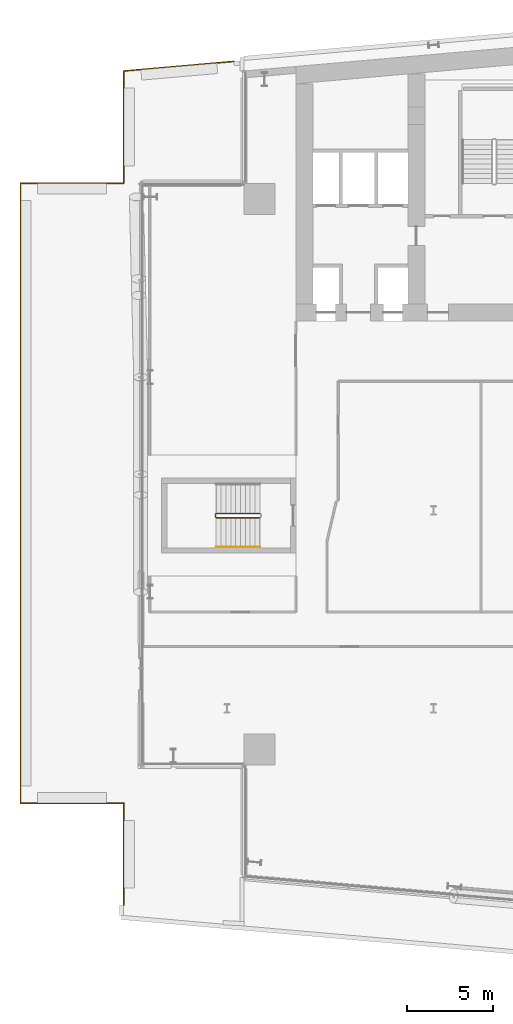
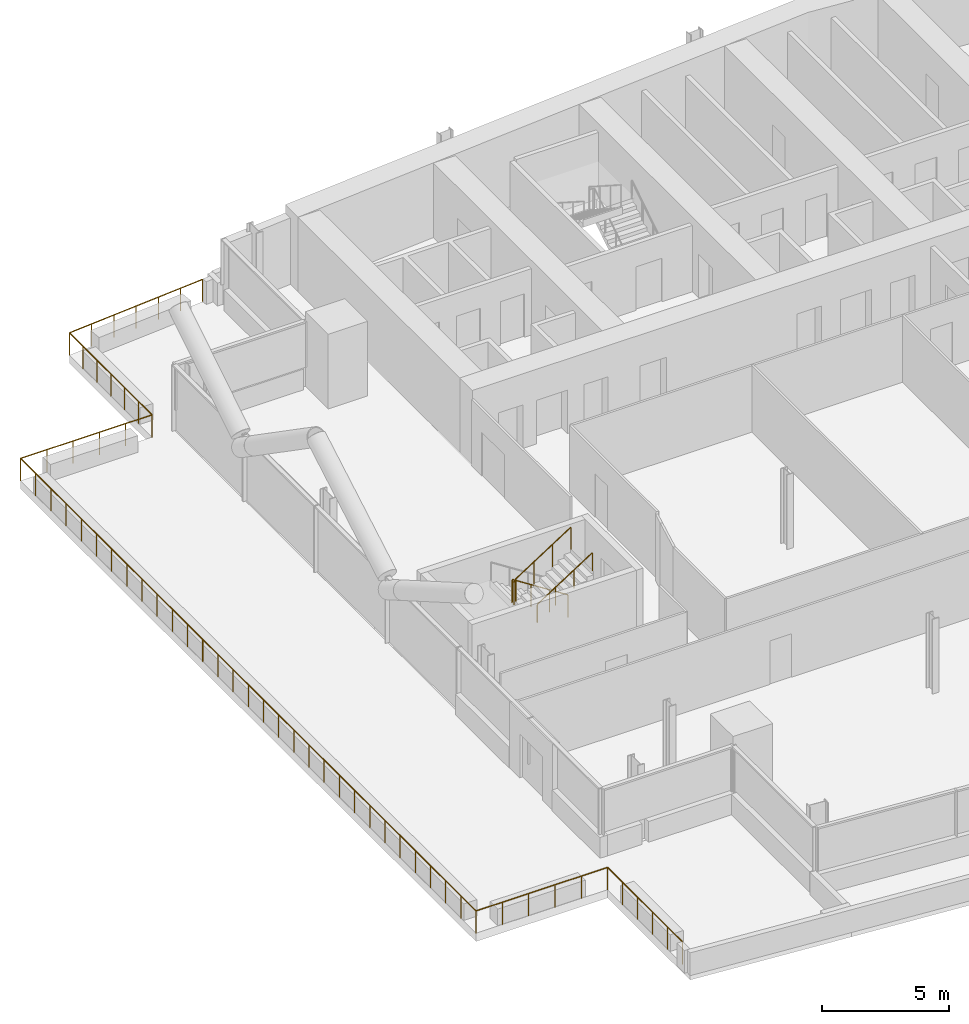
# One storey, part 22 of 26: 3 railings.
"""IFC4 building model written with IfcOpenShell, lengths in metres."""

from ifc_helpers import new_model, si_unit, direction, frame, origin, origin_2d, place, context, subcontext, project, spatial, circle, extrude, material, type_object, element, save


model = new_model("IFC4")

# Units and contexts
model_context = context("Model", 3, precision=1e-05, world=origin(), true_north=direction((0.0, 1.0)))
body_context = subcontext(model_context, "Body", "Model", "MODEL_VIEW")
ifc_project = project(units=[si_unit("LENGTHUNIT", "METRE"), si_unit("AREAUNIT", "SQUARE_METRE"), si_unit("VOLUMEUNIT", "CUBIC_METRE"), si_unit("PLANEANGLEUNIT", "RADIAN"), si_unit("MASSUNIT", "GRAM", prefix="KILO")], contexts=[model_context])

# Site, building, storey
site_placement = place(None, origin())
site = spatial("IfcSite", under=ifc_project, at=site_placement, CompositionType="ELEMENT")
building_placement = place(site_placement, origin())
building = spatial("IfcBuilding", under=site, at=building_placement, Name="Wharfspan Tower", CompositionType="ELEMENT")
storey_placement = place(building_placement, frame((0.0, 0.0, 96.699951)))
storey = spatial("IfcBuildingStorey", under=building, at=storey_placement, Name="L21", CompositionType="ELEMENT", Elevation=96.699951)

# Railings
ifc_material = material(Name="Steel S355J2", Category="steel")
railing_type_1 = type_object("IfcRailingType", Name="GUARD 1100 STEEL AND GLASS", PredefinedType="GUARDRAIL", material=ifc_material)
railing_1_placement = place(storey_placement, frame((6.0, 0.074951, 0.0)))
element("IfcRailing", 1, at=railing_1_placement, inside=storey, type_object=railing_type_1, Name="Terrace guard T1W", PredefinedType="GUARDRAIL", context=body_context, shape_type="SweptSolid", body=[
    extrude(circle(Radius=0.024902, at=origin_2d()), frame((0.0, 0.0, 1.075195), z_axis=(0.0, 1.0, 0.0), x_axis=(-1.0, 0.0, 0.0)), (0.0, 0.0, 1.0), 5.925049),
    extrude(circle(Radius=0.024902, at=origin_2d()), frame((0.0, 5.925049, 1.075195), z_axis=(-1.0, 0.0, 0.0), x_axis=(0.0, -1.0, 0.0)), (0.0, 0.0, 1.0), 6.0),
    extrude(circle(Radius=0.024902, at=origin_2d()), frame((-6.0, 5.925049, 1.075195), z_axis=(0.0, 1.0, 0.0), x_axis=(-1.0, 0.0, 0.0)), (0.0, 0.0, 1.0), 36.0),
    extrude(circle(Radius=0.024902, at=origin_2d()), frame((-6.0, 41.925049, 1.075195), z_axis=(1.0, 0.0, 0.0), x_axis=(0.0, 1.0, 0.0)), (0.0, 0.0, 1.0), 6.0),
    extrude(circle(Radius=0.024902, at=origin_2d()), frame((0.0, 41.925049, 1.075195), z_axis=(0.0, 1.0, 0.0), x_axis=(-1.0, 0.0, 0.0)), (0.0, 0.0, 1.0), 6.524902),
    extrude(circle(Radius=0.024902, at=origin_2d()), frame((0.0, 48.449951, 1.075195), z_axis=(0.996196, 0.087144, 0.0), x_axis=(-0.087144, 0.996196, 0.0)), (0.0, 0.0, 1.0), 6.426758),
    extrude(circle(Radius=0.02002, at=origin_2d()), origin(), (0.0, 0.0, 1.0), 1.050049),
    extrude(circle(Radius=0.02002, at=origin_2d()), frame((0.0, 1.185059, 0.0)), (0.0, 0.0, 1.0), 1.050049),
    extrude(circle(Radius=0.02002, at=origin_2d()), frame((0.0, 2.370117, 0.0)), (0.0, 0.0, 1.0), 1.050049),
    extrude(circle(Radius=0.02002, at=origin_2d()), frame((0.0, 3.554932, 0.0)), (0.0, 0.0, 1.0), 1.050049),
    extrude(circle(Radius=0.02002, at=origin_2d()), frame((0.0, 4.73999, 0.0)), (0.0, 0.0, 1.0), 1.050049),
    extrude(circle(Radius=0.02002, at=origin_2d()), frame((0.0, 5.925049, 0.0)), (0.0, 0.0, 1.0), 1.050049),
    extrude(circle(Radius=0.02002, at=origin_2d()), frame((-1.199951, 5.925049, 0.0)), (0.0, 0.0, 1.0), 1.050049),
    extrude(circle(Radius=0.02002, at=origin_2d()), frame((-2.399902, 5.925049, 0.0)), (0.0, 0.0, 1.0), 1.050049),
    extrude(circle(Radius=0.02002, at=origin_2d()), frame((-3.600098, 5.925049, 0.0)), (0.0, 0.0, 1.0), 1.050049),
    extrude(circle(Radius=0.02002, at=origin_2d()), frame((-4.800049, 5.925049, 0.0)), (0.0, 0.0, 1.0), 1.050049),
    extrude(circle(Radius=0.02002, at=origin_2d()), frame((-6.0, 5.925049, 0.0)), (0.0, 0.0, 1.0), 1.050049),
    extrude(circle(Radius=0.02002, at=origin_2d()), frame((-6.0, 7.125, 0.0)), (0.0, 0.0, 1.0), 1.050049),
    extrude(circle(Radius=0.02002, at=origin_2d()), frame((-6.0, 8.324951, 0.0)), (0.0, 0.0, 1.0), 1.050049),
    extrude(circle(Radius=0.02002, at=origin_2d()), frame((-6.0, 9.525146, 0.0)), (0.0, 0.0, 1.0), 1.050049),
    extrude(circle(Radius=0.02002, at=origin_2d()), frame((-6.0, 10.725098, 0.0)), (0.0, 0.0, 1.0), 1.050049),
    extrude(circle(Radius=0.02002, at=origin_2d()), frame((-6.0, 11.925049, 0.0)), (0.0, 0.0, 1.0), 1.050049),
    extrude(circle(Radius=0.02002, at=origin_2d()), frame((-6.0, 13.125, 0.0)), (0.0, 0.0, 1.0), 1.050049),
    extrude(circle(Radius=0.02002, at=origin_2d()), frame((-6.0, 14.324951, 0.0)), (0.0, 0.0, 1.0), 1.050049),
    extrude(circle(Radius=0.02002, at=origin_2d()), frame((-6.0, 15.525146, 0.0)), (0.0, 0.0, 1.0), 1.050049),
    extrude(circle(Radius=0.02002, at=origin_2d()), frame((-6.0, 16.725098, 0.0)), (0.0, 0.0, 1.0), 1.050049),
    extrude(circle(Radius=0.02002, at=origin_2d()), frame((-6.0, 17.925049, 0.0)), (0.0, 0.0, 1.0), 1.050049),
    extrude(circle(Radius=0.02002, at=origin_2d()), frame((-6.0, 19.125, 0.0)), (0.0, 0.0, 1.0), 1.050049),
    extrude(circle(Radius=0.02002, at=origin_2d()), frame((-6.0, 20.324951, 0.0)), (0.0, 0.0, 1.0), 1.050049),
    extrude(circle(Radius=0.02002, at=origin_2d()), frame((-6.0, 21.525146, 0.0)), (0.0, 0.0, 1.0), 1.050049),
    extrude(circle(Radius=0.02002, at=origin_2d()), frame((-6.0, 22.725098, 0.0)), (0.0, 0.0, 1.0), 1.050049),
    extrude(circle(Radius=0.02002, at=origin_2d()), frame((-6.0, 23.925049, 0.0)), (0.0, 0.0, 1.0), 1.050049),
    extrude(circle(Radius=0.02002, at=origin_2d()), frame((-6.0, 25.125, 0.0)), (0.0, 0.0, 1.0), 1.050049),
    extrude(circle(Radius=0.02002, at=origin_2d()), frame((-6.0, 26.324951, 0.0)), (0.0, 0.0, 1.0), 1.050049),
    extrude(circle(Radius=0.02002, at=origin_2d()), frame((-6.0, 27.525146, 0.0)), (0.0, 0.0, 1.0), 1.050049),
    extrude(circle(Radius=0.02002, at=origin_2d()), frame((-6.0, 28.725098, 0.0)), (0.0, 0.0, 1.0), 1.050049),
    extrude(circle(Radius=0.02002, at=origin_2d()), frame((-6.0, 29.925049, 0.0)), (0.0, 0.0, 1.0), 1.050049),
    extrude(circle(Radius=0.02002, at=origin_2d()), frame((-6.0, 31.125, 0.0)), (0.0, 0.0, 1.0), 1.050049),
    extrude(circle(Radius=0.02002, at=origin_2d()), frame((-6.0, 32.324951, 0.0)), (0.0, 0.0, 1.0), 1.050049),
    extrude(circle(Radius=0.02002, at=origin_2d()), frame((-6.0, 33.525146, 0.0)), (0.0, 0.0, 1.0), 1.050049),
    extrude(circle(Radius=0.02002, at=origin_2d()), frame((-6.0, 34.725098, 0.0)), (0.0, 0.0, 1.0), 1.050049),
    extrude(circle(Radius=0.02002, at=origin_2d()), frame((-6.0, 35.925049, 0.0)), (0.0, 0.0, 1.0), 1.050049),
    extrude(circle(Radius=0.02002, at=origin_2d()), frame((-6.0, 37.125, 0.0)), (0.0, 0.0, 1.0), 1.050049),
    extrude(circle(Radius=0.02002, at=origin_2d()), frame((-6.0, 38.324951, 0.0)), (0.0, 0.0, 1.0), 1.050049),
    extrude(circle(Radius=0.02002, at=origin_2d()), frame((-6.0, 39.525146, 0.0)), (0.0, 0.0, 1.0), 1.050049),
    extrude(circle(Radius=0.02002, at=origin_2d()), frame((-6.0, 40.725098, 0.0)), (0.0, 0.0, 1.0), 1.050049),
    extrude(circle(Radius=0.02002, at=origin_2d()), frame((-6.0, 41.925049, 0.0)), (0.0, 0.0, 1.0), 1.050049),
    extrude(circle(Radius=0.02002, at=origin_2d()), frame((-4.800049, 41.925049, 0.0)), (0.0, 0.0, 1.0), 1.050049),
    extrude(circle(Radius=0.02002, at=origin_2d()), frame((-3.600098, 41.925049, 0.0)), (0.0, 0.0, 1.0), 1.050049),
    extrude(circle(Radius=0.02002, at=origin_2d()), frame((-2.399902, 41.925049, 0.0)), (0.0, 0.0, 1.0), 1.050049),
    extrude(circle(Radius=0.02002, at=origin_2d()), frame((-1.199951, 41.925049, 0.0)), (0.0, 0.0, 1.0), 1.050049),
    extrude(circle(Radius=0.02002, at=origin_2d()), frame((0.0, 41.925049, 0.0)), (0.0, 0.0, 1.0), 1.050049),
    extrude(circle(Radius=0.02002, at=origin_2d()), frame((0.0, 43.012451, 0.0)), (0.0, 0.0, 1.0), 1.050049),
    extrude(circle(Radius=0.02002, at=origin_2d()), frame((0.0, 44.100098, 0.0)), (0.0, 0.0, 1.0), 1.050049),
    extrude(circle(Radius=0.02002, at=origin_2d()), frame((0.0, 45.1875, 0.0)), (0.0, 0.0, 1.0), 1.050049),
    extrude(circle(Radius=0.02002, at=origin_2d()), frame((0.0, 46.274902, 0.0)), (0.0, 0.0, 1.0), 1.050049),
    extrude(circle(Radius=0.02002, at=origin_2d()), frame((0.0, 47.362549, 0.0)), (0.0, 0.0, 1.0), 1.050049),
    extrude(circle(Radius=0.02002, at=origin_2d()), frame((0.0, 48.449951, 0.0)), (0.0, 0.0, 1.0), 1.050049),
    extrude(circle(Radius=0.02002, at=origin_2d()), frame((1.067139, 48.543213, 0.0)), (0.0, 0.0, 1.0), 1.050049),
    extrude(circle(Radius=0.02002, at=origin_2d()), frame((2.134033, 48.636719, 0.0)), (0.0, 0.0, 1.0), 1.050049),
    extrude(circle(Radius=0.02002, at=origin_2d()), frame((3.201172, 48.72998, 0.0)), (0.0, 0.0, 1.0), 1.050049),
    extrude(circle(Radius=0.02002, at=origin_2d()), frame((4.268311, 48.823242, 0.0)), (0.0, 0.0, 1.0), 1.050049),
    extrude(circle(Radius=0.02002, at=origin_2d()), frame((5.335205, 48.916748, 0.0)), (0.0, 0.0, 1.0), 1.050049),
    extrude(circle(Radius=0.02002, at=origin_2d()), frame((6.402344, 49.01001, 0.0)), (0.0, 0.0, 1.0), 1.050049),
])
railing_type_2 = type_object("IfcRailingType", Name="Stair guard 1100", PredefinedType="GUARDRAIL", material=ifc_material)
railing_2_placement = place(storey_placement, frame((13.899902, 22.824951, 0.179932)))
element("IfcRailing", 2, at=railing_2_placement, inside=storey, type_object=railing_type_2, Name="L21 ST3 stair guard 1", PredefinedType="GUARDRAIL", context=body_context, shape_type="SweptSolid", body=[
    extrude(circle(Radius=0.023926, at=origin_2d()), frame((0.0, 0.0, 1.076172), z_axis=(-0.841163, 0.0, 0.540782), x_axis=(0.0, -1.0, 0.0)), (0.0, 0.0, 1.0), 2.99585),
    extrude(circle(Radius=0.023926, at=origin_2d()), frame((-2.52002, 0.0, 2.696289), z_axis=(-0.705376, -0.708834, 0.0), x_axis=(0.708834, -0.705376, 0.0)), (0.0, 0.0, 1.0), 0.070557),
    extrude(circle(Radius=0.023926, at=origin_2d()), frame((-2.569824, -0.050049, 2.696289), z_axis=(0.0, -1.0, 0.0), x_axis=(1.0, 0.0, 0.0)), (0.0, 0.0, 1.0), 0.149902),
    extrude(circle(Radius=0.023926, at=origin_2d()), frame((-2.569824, -0.199951, 2.696289), z_axis=(0.257669, -0.258932, 0.930892), x_axis=(0.708833, 0.705372, -1e-06)), (0.0, 0.0, 1.0), 0.193359),
    extrude(circle(Radius=0.023926, at=origin_2d()), frame((-2.52002, -0.25, 2.875977), z_axis=(0.841163, 0.0, 0.540782), x_axis=(0.0, 1.0, 0.0)), (0.0, 0.0, 1.0), 2.99585),
    extrude(circle(Radius=0.020996, at=origin_2d()), origin(), (0.0, 0.0, 1.0), 1.052002),
    extrude(circle(Radius=0.020996, at=origin_2d()), frame((-0.840088, 0.0, 0.540039)), (0.0, 0.0, 1.0), 1.052002),
    extrude(circle(Radius=0.020996, at=origin_2d()), frame((-1.679932, 0.0, 1.080078)), (0.0, 0.0, 1.0), 1.052002),
    extrude(circle(Radius=0.020996, at=origin_2d()), frame((-2.52002, 0.0, 1.620117)), (0.0, 0.0, 1.0), 1.052002),
    extrude(circle(Radius=0.020996, at=origin_2d()), frame((-2.569824, -0.050049, 1.620117)), (0.0, 0.0, 1.0), 1.052002),
    extrude(circle(Radius=0.020996, at=origin_2d()), frame((-2.569824, -0.199951, 1.620117)), (0.0, 0.0, 1.0), 1.052002),
    extrude(circle(Radius=0.020996, at=origin_2d()), frame((-2.52002, -0.25, 1.800049)), (0.0, 0.0, 1.0), 1.052002),
    extrude(circle(Radius=0.020996, at=origin_2d()), frame((-1.679932, -0.25, 2.340088)), (0.0, 0.0, 1.0), 1.052002),
    extrude(circle(Radius=0.020996, at=origin_2d()), frame((-0.840088, -0.25, 2.880127)), (0.0, 0.0, 1.0), 1.052002),
    extrude(circle(Radius=0.020996, at=origin_2d()), frame((0.0, -0.25, 3.420166)), (0.0, 0.0, 1.0), 1.052002),
])
railing_type_3 = type_object("IfcRailingType", Name="Stair handrail 900", PredefinedType="HANDRAIL", material=ifc_material)
railing_3_placement = place(storey_placement, frame((11.379883, 20.875, 1.97998)))
element("IfcRailing", 3, at=railing_3_placement, inside=storey, type_object=railing_type_3, Name="L21 ST3 stair handrail 2", PredefinedType="HANDRAIL", context=body_context, shape_type="SweptSolid", body=[
    extrude(circle(Radius=0.023926, at=origin_2d()), frame((0.0, 0.0, 0.875977), z_axis=(0.841163, 0.0, 0.540782), x_axis=(0.0, 1.0, 0.0)), (0.0, 0.0, 1.0), 2.99585),
    extrude(circle(Radius=0.020996, at=origin_2d()), origin(), (0.0, 0.0, 1.0), 0.851807),
    extrude(circle(Radius=0.020996, at=origin_2d()), frame((0.840088, 0.0, 0.540039)), (0.0, 0.0, 1.0), 0.851807),
    extrude(circle(Radius=0.020996, at=origin_2d()), frame((1.679932, 0.0, 1.080078)), (0.0, 0.0, 1.0), 0.851807),
    extrude(circle(Radius=0.020996, at=origin_2d()), frame((2.52002, 0.0, 1.620117)), (0.0, 0.0, 1.0), 0.851807),
])

save(model, "model.ifc")
